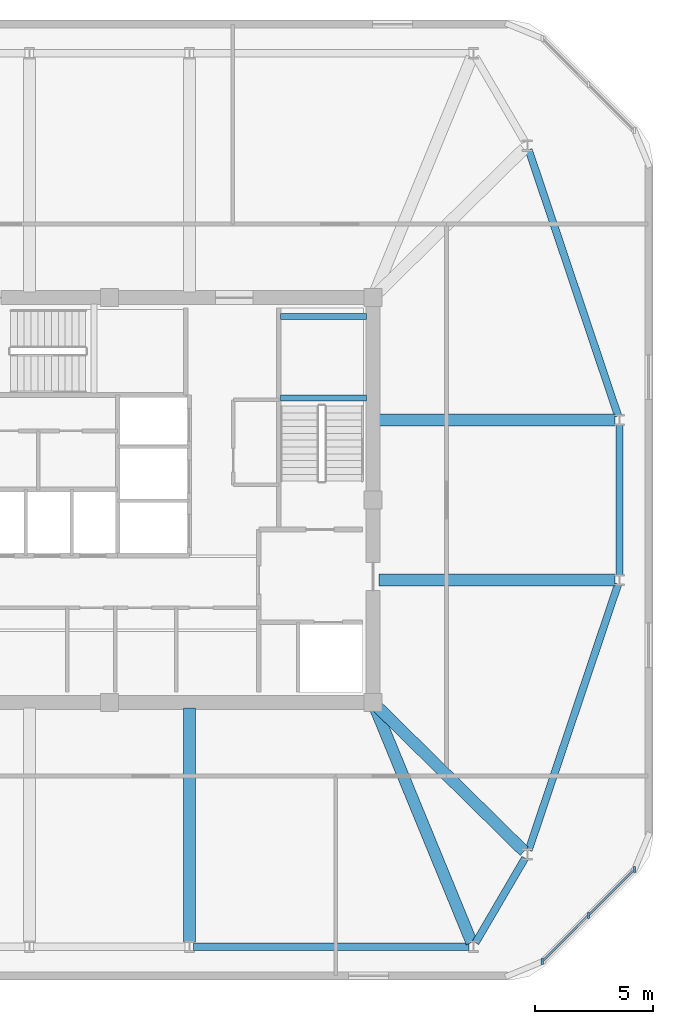
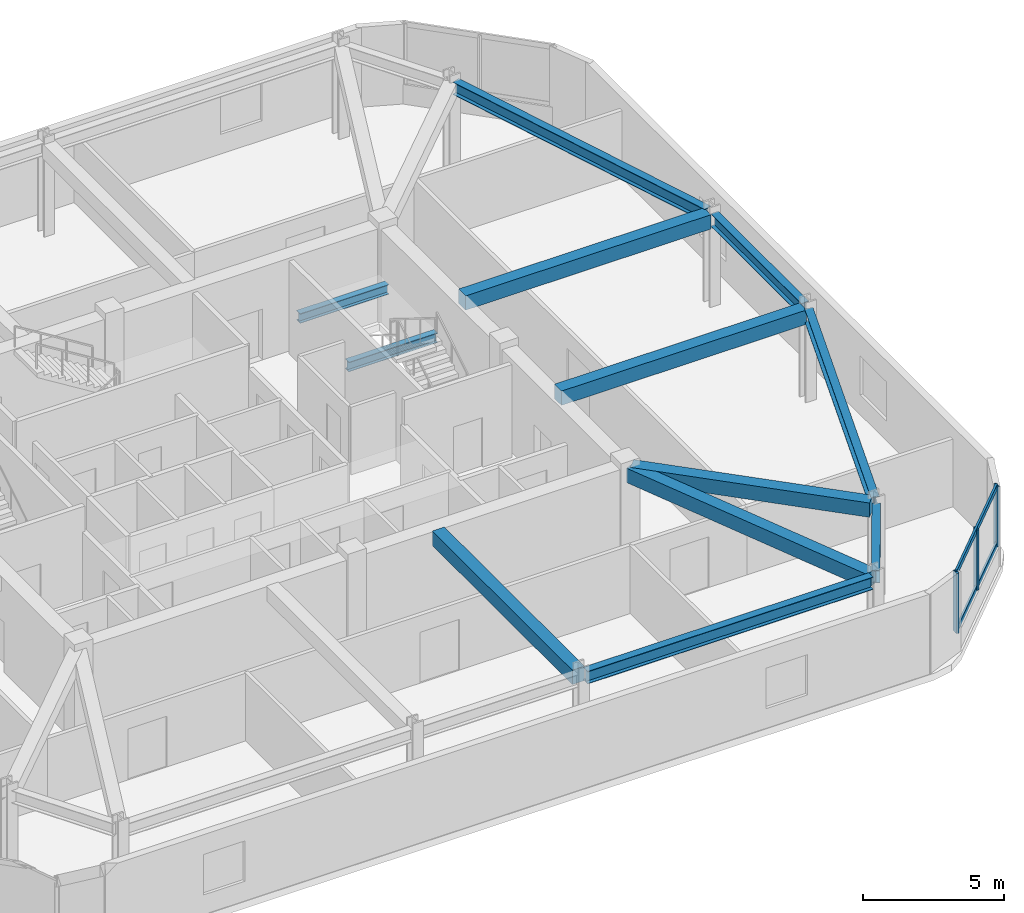
# One storey, part 3 of 9: 12 beams, 5 members, 1 element without a shape of its own.
"""IFC4 building model written with IfcOpenShell, lengths in metres."""

from ifc_helpers import new_model, si_unit, derived_unit, direction, frame, origin, origin_2d, place, context, subcontext, project, spatial, rectangle, i_section, extrude, material, material_profile, profile_set, type_object, element, aggregate, save


model = new_model("IFC4")

# Units and contexts
model_context = context("Model", 3, precision=1e-05, world=origin(), true_north=direction((0.0, 1.0)))
body_context = subcontext(model_context, "Body", "Model", "MODEL_VIEW")
ifc_project = project(units=[si_unit("LENGTHUNIT", "METRE"), si_unit("AREAUNIT", "SQUARE_METRE"), si_unit("VOLUMEUNIT", "CUBIC_METRE"), si_unit("PLANEANGLEUNIT", "RADIAN"), si_unit("MASSUNIT", "GRAM", prefix="KILO"), derived_unit("THERMALTRANSMITTANCEUNIT", [(si_unit("POWERUNIT", "WATT"), 1), (si_unit("LENGTHUNIT", "METRE"), -2), (si_unit("THERMODYNAMICTEMPERATUREUNIT", "KELVIN"), -1)])], contexts=[model_context])

# Site, building, storey
site_placement = place(None, origin())
site = spatial("IfcSite", under=ifc_project, at=site_placement, CompositionType="ELEMENT")
building_placement = place(site_placement, origin())
building = spatial("IfcBuilding", under=site, at=building_placement, Name="Koralith Skygarden Medical Center", CompositionType="ELEMENT")
storey_placement = place(building_placement, frame((0.0, 0.0, 290.340087890625)))
storey = spatial("IfcBuildingStorey", under=building, at=storey_placement, Name="L75", CompositionType="ELEMENT", Elevation=290.340087890625)

# Curtain wall, members
ifc_material_1 = material(Name="Clear Laminated Glass", Category="glass")
curtain_wall_type = type_object("IfcCurtainWallType", Name="CW-8 Crown Lookout Low-Iron Curtain Wall", PredefinedType="NOTDEFINED", material=ifc_material_1)
curtain_wall_placement = place(storey_placement, origin())
curtain_wall = element("IfcCurtainWall", 1, at=curtain_wall_placement, inside=storey, type_object=curtain_wall_type, Name="Curtain Wall CW-L75-SE", PredefinedType="NOTDEFINED")
ifc_material_2 = material(Name="Aluminium 6063-T6", Category="aluminium")
ifc_material_profile_1 = material_profile(ifc_material_2, rectangle(XDim=0.089111328125, YDim=0.25, at=origin_2d()), Name="MUL89X250")
ifc_profile_set_1 = profile_set([ifc_material_profile_1], Name="Aluminium 6063-T6")
member_type_1 = type_object("IfcMemberType", Name="CW-8 Extruded Mullion 89x250", PredefinedType="MULLION", material=ifc_profile_set_1)
member_1_placement = place(storey_placement, frame((55.39599609375, 6.281005859375, 0.849853515625), z_axis=(0.0, 0.0, 1.0), x_axis=(1.0, 0.0, 0.0)))
member_1 = element("IfcMember", 2, at=member_1_placement, type_object=member_type_1, Name="CW-L75-SE Mullion 1", PredefinedType="MULLION", context=body_context, shape_type="SweptSolid", body=[
    extrude(rectangle(XDim=0.089111328125, YDim=0.25, at=origin_2d()), origin(), (0.0, 0.0, 1.0), 2.610107421875),
])
member_2_placement = place(storey_placement, frame((57.35791015625, 8.241943359375, 0.849853515625), z_axis=(0.0, 0.0, 1.0), x_axis=(1.0, 0.0, 0.0)))
member_2 = element("IfcMember", 3, at=member_2_placement, type_object=member_type_1, Name="CW-L75-SE Mullion 2", PredefinedType="MULLION", context=body_context, shape_type="SweptSolid", body=[
    extrude(rectangle(XDim=0.089111328125, YDim=0.25, at=origin_2d()), origin(), (0.0, 0.0, 1.0), 2.610107421875),
])
member_3_placement = place(storey_placement, frame((59.319091796875, 10.2041015625, 0.849853515625), z_axis=(0.0, 0.0, 1.0), x_axis=(1.0, 0.0, 0.0)))
member_3 = element("IfcMember", 4, at=member_3_placement, type_object=member_type_1, Name="CW-L75-SE Mullion 3", PredefinedType="MULLION", context=body_context, shape_type="SweptSolid", body=[
    extrude(rectangle(XDim=0.089111328125, YDim=0.25, at=origin_2d()), origin(), (0.0, 0.0, 1.0), 2.610107421875),
])
ifc_material_profile_2 = material_profile(ifc_material_2, rectangle(XDim=0.083984375, YDim=0.22509765625, at=origin_2d()), Name="TRN84X225")
ifc_profile_set_2 = profile_set([ifc_material_profile_2], Name="Aluminium 6063-T6")
member_type_2 = type_object("IfcMemberType", Name="CW-8 Thermal Transom 84x225", PredefinedType="USERDEFINED", material=ifc_profile_set_2)
member_4_placement = place(storey_placement, frame((55.39599609375, 6.281005859375, 0.89990234375), z_axis=(0.707106781187, 0.707106781187, 0.0), x_axis=(-0.707106781187, 0.707106781187, 0.0)))
member_4 = element("IfcMember", 5, at=member_4_placement, type_object=member_type_2, Name="CW-L75-SE Transom 1", ObjectType="TRANSOM", PredefinedType="USERDEFINED", context=body_context, shape_type="SweptSolid", body=[
    extrude(rectangle(XDim=0.083984375, YDim=0.22509765625, at=origin_2d()), origin(), (0.0, 0.0, 1.0), 5.548095703125),
])
member_5_placement = place(storey_placement, frame((55.39599609375, 6.281005859375, 3.409912109375), z_axis=(0.707106781187, 0.707106781187, 0.0), x_axis=(-0.707106781187, 0.707106781187, 0.0)))
member_5 = element("IfcMember", 6, at=member_5_placement, type_object=member_type_2, Name="CW-L75-SE Transom 2", ObjectType="TRANSOM", PredefinedType="USERDEFINED", context=body_context, shape_type="SweptSolid", body=[
    extrude(rectangle(XDim=0.083984375, YDim=0.22509765625, at=origin_2d()), origin(), (0.0, 0.0, 1.0), 5.548095703125),
])
aggregate(curtain_wall, [member_1, member_2, member_3, member_4, member_5])

# Beams
ifc_material_3 = material(Name="Steel ASTM A992 Grade 50", Category="steel")
ifc_material_profile_3 = material_profile(ifc_material_3, i_section(OverallWidth=0.31201171875, OverallDepth=0.54296875, WebThickness=0.0126953125, FlangeThickness=0.020263671875, at=origin_2d()), Name="W21X101")
ifc_profile_set_3 = profile_set([ifc_material_profile_3], Name="Steel ASTM A992 Grade 50")
beam_type_1 = type_object("IfcBeamType", Name="Canopy Ring Beam W21X101", PredefinedType="SPANDREL", material=ifc_profile_set_3)
beam_1_placement = place(storey_placement, frame((40.5849609375, 6.919921875, 3.7490234375), z_axis=(1.0, 0.0, 0.0), x_axis=(0.0, 1.0, 0.0)))
element("IfcBeam", 7, at=beam_1_placement, inside=storey, type_object=beam_type_1, Name="L75 Perimeter Spandrel Beam SP-05", PredefinedType="SPANDREL", context=body_context, shape_type="SweptSolid", body=[
    extrude(i_section(OverallWidth=0.31201171875, OverallDepth=0.54296875, WebThickness=0.0126953125, FlangeThickness=0.020263671875, at=origin_2d()), origin(), (0.0, 0.0, 1.0), 11.697998046875),
])
beam_2_placement = place(storey_placement, frame((52.56103515625, 7.080078125, 3.7490234375), z_axis=(0.504951618525, 0.863147648406, 0.0), x_axis=(-0.863147648406, 0.504951618525, 0.0)))
element("IfcBeam", 8, at=beam_2_placement, inside=storey, type_object=beam_type_1, Name="L75 Perimeter Spandrel Beam SP-06", PredefinedType="SPANDREL", context=body_context, shape_type="SweptSolid", body=[
    extrude(i_section(OverallWidth=0.31201171875, OverallDepth=0.54296875, WebThickness=0.0126953125, FlangeThickness=0.020263671875, at=origin_2d()), origin(), (0.0, 0.0, 1.0), 4.170654296875),
])
beam_3_placement = place(storey_placement, frame((54.819091796875, 11.014892578125, 3.7490234375), z_axis=(0.318639095106, 0.947876113778, 0.0), x_axis=(-0.947876113778, 0.318639095106, 0.0)))
element("IfcBeam", 9, at=beam_3_placement, inside=storey, type_object=beam_type_1, Name="L75 Perimeter Spandrel Beam SP-07", PredefinedType="SPANDREL", context=body_context, shape_type="SweptSolid", body=[
    extrude(i_section(OverallWidth=0.31201171875, OverallDepth=0.54296875, WebThickness=0.0126953125, FlangeThickness=0.020263671875, at=origin_2d()), origin(), (0.0, 0.0, 1.0), 11.931884765625),
])
beam_4_placement = place(storey_placement, frame((58.679931640625, 22.68505859375, 3.7490234375), z_axis=(0.0, 1.0, 0.0), x_axis=(-1.0, 0.0, 0.0)))
element("IfcBeam", 10, at=beam_4_placement, inside=storey, type_object=beam_type_1, Name="L75 Perimeter Spandrel Beam SP-08", PredefinedType="SPANDREL", context=body_context, shape_type="SweptSolid", body=[
    extrude(i_section(OverallWidth=0.31201171875, OverallDepth=0.54296875, WebThickness=0.0126953125, FlangeThickness=0.020263671875, at=origin_2d()), origin(), (0.0, 0.0, 1.0), 6.429931640625),
])
beam_5_placement = place(storey_placement, frame((58.62109375, 29.47509765625, 3.7490234375), z_axis=(-0.318645275061, 0.947874036294, 0.0), x_axis=(-0.947874036294, -0.318645275061, 0.0)))
element("IfcBeam", 11, at=beam_5_placement, inside=storey, type_object=beam_type_1, Name="L75 Perimeter Spandrel Beam SP-09", PredefinedType="SPANDREL", context=body_context, shape_type="SweptSolid", body=[
    extrude(i_section(OverallWidth=0.31201171875, OverallDepth=0.54296875, WebThickness=0.0126953125, FlangeThickness=0.020263671875, at=origin_2d()), origin(), (0.0, 0.0, 1.0), 11.931884765625),
])
ifc_material_profile_4 = material_profile(ifc_material_3, i_section(OverallWidth=0.260009765625, OverallDepth=0.4150390625, WebThickness=0.010009765625, FlangeThickness=0.016845703125, at=origin_2d()), Name="W16X67")
ifc_profile_set_4 = profile_set([ifc_material_profile_4], Name="Steel ASTM A992 Grade 50")
beam_type_2 = type_object("IfcBeamType", Name="Clinical Floor Joist W16X67", PredefinedType="JOIST", material=ifc_profile_set_4)
for number, where, z_axis, x_axis, name in (
    (12, (44.280029296875, 30.239990234375, 1.7529296875), (1.0, 0.0, 0.0), (0.0, 1.0, 0.0), "L75 Stair ST2 Half-Landing Support Beam 1A"),
    (13, (44.280029296875, 33.699951171875, 1.7529296875), (1.0, 0.0, 0.0), (0.0, 1.0, 0.0), "L75 Stair ST2 Half-Landing Support Beam 1B"),
):
    element("IfcBeam", number, at=place(storey_placement, frame(where, z_axis=z_axis, x_axis=x_axis)), inside=storey, type_object=beam_type_2, Name=name, PredefinedType="JOIST", context=body_context, shape_type="SweptSolid", body=[
        extrude(i_section(OverallWidth=0.260009765625, OverallDepth=0.4150390625, WebThickness=0.010009765625, FlangeThickness=0.016845703125, at=origin_2d()), origin(), (0.0, 0.0, 1.0), 3.639892578125),
    ])
ifc_material_4 = material(Name="Concrete C45/55", Category="concrete")
ifc_material_profile_5 = material_profile(ifc_material_4, rectangle(XDim=0.5, YDim=0.6201171875, at=origin_2d()), Name="RCB500X620")
ifc_profile_set_5 = profile_set([ifc_material_profile_5], Name="Concrete C45/55")
beam_type_3 = type_object("IfcBeamType", Name="Upper Radial Collector Beam RCB500X620", PredefinedType="BEAM", material=ifc_profile_set_5)
beam_6_placement = place(storey_placement, frame((40.39990234375, 17.050048828125, 3.7099609375), z_axis=(0.0, -1.0, 0.0), x_axis=(1.0, 0.0, 0.0)))
element("IfcBeam", 14, at=beam_6_placement, inside=storey, type_object=beam_type_3, Name="L75 Radial Collector Beam RB-05", PredefinedType="BEAM", context=body_context, shape_type="SweptSolid", body=[
    extrude(rectangle(XDim=0.5, YDim=0.6201171875, at=origin_2d()), origin(), (0.0, 0.0, 1.0), 9.945068359375),
])
beam_7_placement = place(storey_placement, frame((48.294921875, 17.069091796875, 3.7099609375), z_axis=(0.380308155568, -0.924859830898, 0.0), x_axis=(0.924859830898, 0.380308155568, 0.0)))
element("IfcBeam", 15, at=beam_7_placement, inside=storey, type_object=beam_type_3, Name="L75 Radial Collector Beam RB-06", PredefinedType="BEAM", context=body_context, shape_type="SweptSolid", body=[
    extrude(rectangle(XDim=0.5, YDim=0.6201171875, at=origin_2d()), origin(), (0.0, 0.0, 1.0), 10.78857421875),
])
beam_8_placement = place(storey_placement, frame((48.3779296875, 17.125, 3.7099609375), z_axis=(0.712499385168, -0.701672734354, 0.0), x_axis=(0.701672734354, 0.712499385168, 0.0)))
element("IfcBeam", 16, at=beam_8_placement, inside=storey, type_object=beam_type_3, Name="L75 Radial Collector Beam RB-07", PredefinedType="BEAM", context=body_context, shape_type="SweptSolid", body=[
    extrude(rectangle(XDim=0.5, YDim=0.6201171875, at=origin_2d()), origin(), (0.0, 0.0, 1.0), 8.77197265625),
])
for number, where, z_axis, x_axis, name in (
    (17, (48.449951171875, 22.5, 3.7099609375), (1.0, 0.0, 0.0), (0.0, 1.0, 0.0), "L75 Radial Collector Beam RB-08"),
    (18, (48.449951171875, 29.300048828125, 3.7099609375), (1.0, 0.0, 0.0), (0.0, 1.0, 0.0), "L75 Radial Collector Beam RB-09"),
):
    element("IfcBeam", number, at=place(storey_placement, frame(where, z_axis=z_axis, x_axis=x_axis)), inside=storey, type_object=beam_type_3, Name=name, PredefinedType="BEAM", context=body_context, shape_type="SweptSolid", body=[
        extrude(rectangle(XDim=0.5, YDim=0.6201171875, at=origin_2d()), origin(), (0.0, 0.0, 1.0), 10.045166015625),
    ])

save(model, "model.ifc")
